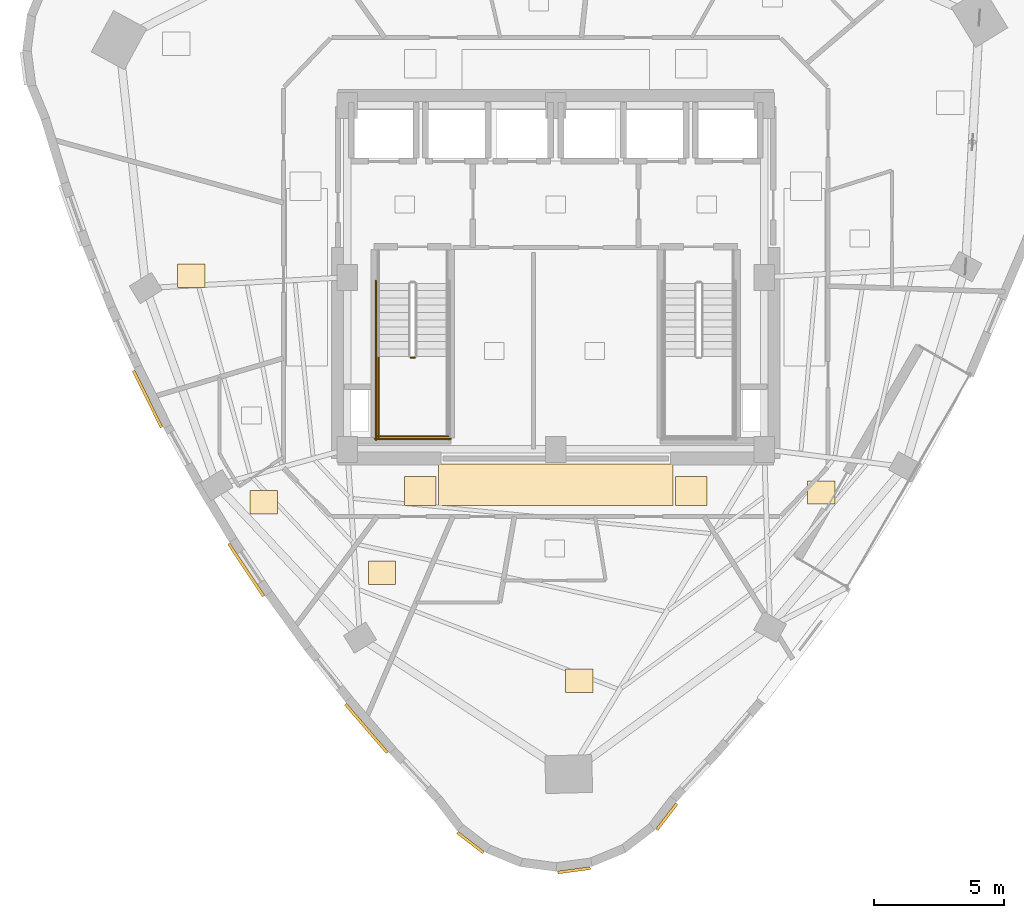
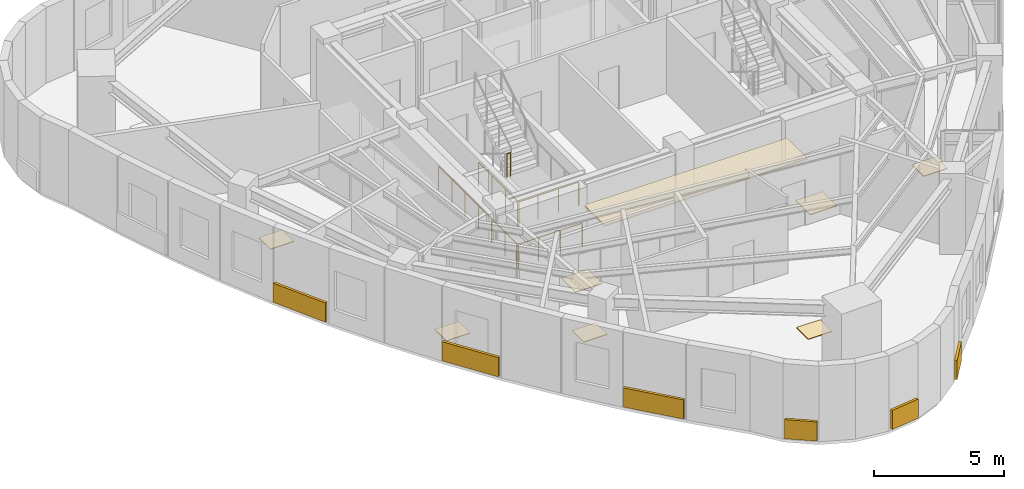
# One storey, part 10 of 12: 14 coverings, 5 railings.
"""IFC4 building model written with IfcOpenShell, lengths in metres."""

from ifc_helpers import new_model, si_unit, direction, frame, origin, origin_2d, place, context, subcontext, project, spatial, rectangle, circle, extrude, material, layer, layer_set, type_object, element, save


model = new_model("IFC4")

# Units and contexts
model_context = context("Model", 3, precision=1e-05, world=origin(), true_north=direction((0.0, 1.0)))
body_context = subcontext(model_context, "Body", "Model", "MODEL_VIEW")
ifc_project = project(units=[si_unit("LENGTHUNIT", "METRE"), si_unit("AREAUNIT", "SQUARE_METRE"), si_unit("VOLUMEUNIT", "CUBIC_METRE"), si_unit("PLANEANGLEUNIT", "RADIAN"), si_unit("MASSUNIT", "GRAM", prefix="KILO")], contexts=[model_context])

# Site, building, storey
site_placement = place(None, origin())
site = spatial("IfcSite", under=ifc_project, at=site_placement, CompositionType="ELEMENT")
building_placement = place(site_placement, origin())
building = spatial("IfcBuilding", under=site, at=building_placement, Name="Ndelora Gate Hotel", CompositionType="ELEMENT")
storey_placement = place(building_placement, frame((0.0, 0.0, 205.550048828125)))
storey = spatial("IfcBuildingStorey", under=building, at=storey_placement, Name="L51", CompositionType="ELEMENT", Elevation=205.550048828125)

# Coverings
ifc_material_1 = material(Name="Perforated Acoustic Gypsum Board", Category="gypsum")
ifc_layer_1 = layer(ifc_material_1, 0.054931640625)
ifc_layer_set_1 = layer_set([ifc_layer_1], Name="Perforated Acoustic Gypsum Board")
covering_type_1 = type_object("IfcCoveringType", Name="COV-CEIL-AC60", PredefinedType="CEILING", material=ifc_layer_set_1)
covering_1_placement = place(storey_placement, frame((0.0, -7.9599609375, 2.65234375), z_axis=(0.0, 0.0, 1.0), x_axis=(1.0, 0.0, 0.0)))
element("IfcCovering", 1, at=covering_1_placement, inside=storey, type_object=covering_type_1, Name="L51 Guest Corridor Acoustic Ceiling S", PredefinedType="CEILING", context=body_context, shape_type="SweptSolid", body=[
    extrude(rectangle(XDim=9.0, YDim=1.580078125, at=origin_2d()), origin(), (0.0, 0.0, 1.0), 0.054931640625),
])
ifc_material_2 = material(Name="Terracotta Fired Clay Brick Slip Cladding", Category="masonry")
ifc_layer_2 = layer(ifc_material_2, 0.110107421875)
ifc_layer_set_2 = layer_set([ifc_layer_2], Name="Terracotta Fired Clay Brick Slip Cladding")
covering_type_2 = type_object("IfcCoveringType", Name="COV-CLAD-BRK", PredefinedType="CLADDING", material=ifc_layer_set_2)
for number, where, z_axis, x_axis, name in (
    (2, (-15.66357421875, -4.67041015625, 0.10009765625), (0.0, 0.0, 1.0), (-0.444635179185, 0.895711760239, 0.0), "L51 Rounded-Corner Brick Cladding Band 13"),
    (3, (-11.87646484375, -11.229736328125, 0.10009765625), (0.0, 0.0, 1.0), (-0.553391549243, 0.83292124071, 0.0), "L51 Rounded-Corner Brick Cladding Band 16"),
):
    element("IfcCovering", number, at=place(storey_placement, frame(where, z_axis=z_axis, x_axis=x_axis)), inside=storey, type_object=covering_type_2, Name=name, PredefinedType="CLADDING", context=body_context, shape_type="SweptSolid", body=[
        extrude(rectangle(XDim=2.4208984375, YDim=0.110107421875, at=origin_2d()), origin(), (0.0, 0.0, 1.0), 0.89990234375),
    ])
covering_2_placement = place(storey_placement, frame((-7.26416015625, -17.31201171875, 0.10009765625), z_axis=(0.0, 0.0, 1.0), x_axis=(-0.651966074496, 0.758248137292, 0.0)))
element("IfcCovering", 4, at=covering_2_placement, inside=storey, type_object=covering_type_2, Name="L51 Rounded-Corner Brick Cladding Band 19", PredefinedType="CLADDING", context=body_context, shape_type="SweptSolid", body=[
    extrude(rectangle(XDim=2.4599609375, YDim=0.110107421875, at=origin_2d()), origin(), (0.0, 0.0, 1.0), 0.89990234375),
])
for number, where, z_axis, x_axis, name in (
    (5, (-3.271484375, -21.691650390625, 0.10009765625), (0.0, 0.0, 1.0), (-0.793353340291, 0.608761429009, 0.0), "L51 Rounded-Corner Brick Cladding Band 22"),
    (6, (0.701416015625, -22.75634765625, 0.10009765625), (0.0, 0.0, 1.0), (0.991444861374, 0.13052619222, 0.0), "L51 Rounded-Corner Brick Cladding Band 25"),
):
    element("IfcCovering", number, at=place(storey_placement, frame(where, z_axis=z_axis, x_axis=x_axis)), inside=storey, type_object=covering_type_2, Name=name, PredefinedType="CLADDING", context=body_context, shape_type="SweptSolid", body=[
        extrude(rectangle(XDim=1.258056640625, YDim=0.110107421875, at=origin_2d()), origin(), (0.0, 0.0, 1.0), 0.89990234375),
    ])
covering_3_placement = place(storey_placement, frame((4.263671875, -20.69970703125, 0.10009765625), z_axis=(0.0, 0.0, 1.0), x_axis=(0.608761429009, 0.793353340291, 0.0)))
element("IfcCovering", 7, at=covering_3_placement, inside=storey, type_object=covering_type_2, Name="L51 Rounded-Corner Brick Cladding Band 28", PredefinedType="CLADDING", context=body_context, shape_type="SweptSolid", body=[
    extrude(rectangle(XDim=1.257080078125, YDim=0.110107421875, at=origin_2d()), origin(), (0.0, 0.0, 1.0), 0.89990234375),
])
ifc_material_3 = material(Name="Engineered Highland Oak Parquet", Category="wood")
ifc_layer_3 = layer(ifc_material_3, 0.030029296875)
ifc_layer_set_3 = layer_set([ifc_layer_3], Name="Engineered Highland Oak Parquet")
covering_type_3 = type_object("IfcCoveringType", Name="COV-FLR-PARQ", PredefinedType="FLOORING", material=ifc_layer_set_3)
for number, where, z_axis, x_axis, name in (
    (8, (0.896728515625, -15.488525390625, 0.0), (0.0, 0.0, 1.0), (1.0, 0.0, 0.0), "L51 Corner Conservatory Suite 5401 Oak Parquet Flooring"),
    (9, (10.19580078125, -8.2578125, 0.0), (0.0, 0.0, 1.0), (1.0, 0.0, 0.0), "L51 Sky Garden Tea Dining Room Oak Parquet Flooring"),
    (10, (-13.989501953125, 0.0625, 0.0), (0.0, 0.0, 1.0), (1.0, 0.0, 0.0), "L51 Sommelier Wine Kitchen Oak Parquet Flooring"),
    (11, (-11.20166015625, -8.63818359375, 0.0), (0.0, 0.0, 1.0), (1.0, 0.0, 0.0), "L51 Altitude King Guest Room 5405 Oak Parquet Flooring"),
    (12, (-6.667724609375, -11.34228515625, 0.0), (0.0, 0.0, 1.0), (1.0, 0.0, 0.0), "L51 Housekeeping and Linen Room Oak Parquet Flooring"),
):
    element("IfcCovering", number, at=place(storey_placement, frame(where, z_axis=z_axis, x_axis=x_axis)), inside=storey, type_object=covering_type_3, Name=name, PredefinedType="FLOORING", context=body_context, shape_type="SweptSolid", body=[
        extrude(rectangle(XDim=1.050048828125, YDim=0.89990234375, at=origin_2d()), origin(), (0.0, 0.0, 1.0), 0.030029296875),
    ])
ifc_material_4 = material(Name="Polished Highland Stone Terrazzo", Category="masonry")
ifc_layer_4 = layer(ifc_material_4, 0.034912109375)
ifc_layer_set_4 = layer_set([ifc_layer_4], Name="Polished Highland Stone Terrazzo")
covering_type_4 = type_object("IfcCoveringType", Name="COV-FLR-TERZ", PredefinedType="FLOORING", material=ifc_layer_set_4)
for number, where, z_axis, x_axis, name in (
    (13, (-5.199951171875, -8.199951171875, 0.0), (0.0, 0.0, 1.0), (1.0, 0.0, 0.0), "L51 Corridor Threshold Terrazzo Inlay SW"),
    (14, (5.199951171875, -8.199951171875, 0.0), (0.0, 0.0, 1.0), (1.0, 0.0, 0.0), "L51 Corridor Threshold Terrazzo Inlay SE"),
):
    element("IfcCovering", number, at=place(storey_placement, frame(where, z_axis=z_axis, x_axis=x_axis)), inside=storey, type_object=covering_type_4, Name=name, PredefinedType="FLOORING", context=body_context, shape_type="SweptSolid", body=[
        extrude(rectangle(XDim=1.199951171875, YDim=1.10009765625, at=origin_2d()), origin(), (0.0, 0.0, 1.0), 0.034912109375),
    ])

# Railings
ifc_material_5 = material(Name="Painted Galvanized Steel Balustrade", Category="steel")
ifc_layer_5 = layer(ifc_material_5, 0.06005859375)
ifc_layer_set_5 = layer_set([ifc_layer_5], Name="Painted Galvanized Steel Balustrade")
railing_type = type_object("IfcRailingType", Name="RL-STAIR-GD", PredefinedType="GUARDRAIL", material=ifc_layer_set_5)
railing_1_placement = place(storey_placement, frame((-5.570068359375, -3.080078125, 1.89990234375)))
element("IfcRailing", 15, at=railing_1_placement, inside=storey, type_object=railing_type, Name="L51 ST4 stair guard 2", PredefinedType="GUARDRAIL", context=body_context, shape_type="SweptSolid", body=[
    extrude(circle(Radius=0.02392578125, at=origin_2d()), frame((0.0, 0.0, 1.10595703125), z_axis=(1.0, 0.0, 0.0), x_axis=(0.0, 1.0, 0.0)), (0.0, 0.0, 1.0), 0.16015625),
    extrude(circle(Radius=0.02099609375, at=origin_2d()), origin(), (0.0, 0.0, 1.0), 1.081787109375),
    extrude(circle(Radius=0.02099609375, at=origin_2d()), frame((0.16015625, 0.0, 0.0)), (0.0, 0.0, 1.0), 1.081787109375),
])
railing_2_placement = place(storey_placement, frame((-6.800048828125, -3.030029296875, 1.89990234375)))
element("IfcRailing", 16, at=railing_2_placement, inside=storey, type_object=railing_type, Name="L51 ST4 stair guard 3", PredefinedType="GUARDRAIL", context=body_context, shape_type="SweptSolid", body=[
    extrude(circle(Radius=0.02392578125, at=origin_2d()), frame((0.0, 0.0, 1.10595703125), z_axis=(0.0, -1.0, 0.0), x_axis=(1.0, 0.0, 0.0)), (0.0, 0.0, 1.0), 3.119873046875),
    extrude(circle(Radius=0.02099609375, at=origin_2d()), origin(), (0.0, 0.0, 1.0), 1.081787109375),
    extrude(circle(Radius=0.02099609375, at=origin_2d()), frame((0.0, -1.0400390625, 0.0)), (0.0, 0.0, 1.0), 1.081787109375),
    extrude(circle(Radius=0.02099609375, at=origin_2d()), frame((0.0, -2.079833984375, 0.0)), (0.0, 0.0, 1.0), 1.081787109375),
    extrude(circle(Radius=0.02099609375, at=origin_2d()), frame((0.0, -3.119873046875, 0.0)), (0.0, 0.0, 1.0), 1.081787109375),
])
railing_3_placement = place(storey_placement, frame((-6.85009765625, -6.10009765625, 1.89990234375)))
element("IfcRailing", 17, at=railing_3_placement, inside=storey, type_object=railing_type, Name="L51 ST4 stair guard 5", PredefinedType="GUARDRAIL", context=body_context, shape_type="SweptSolid", body=[
    extrude(circle(Radius=0.02392578125, at=origin_2d()), frame((0.0, 0.0, 1.10595703125), z_axis=(1.0, 0.0, 0.0), x_axis=(0.0, 1.0, 0.0)), (0.0, 0.0, 1.0), 2.72021484375),
    extrude(circle(Radius=0.02099609375, at=origin_2d()), origin(), (0.0, 0.0, 1.0), 1.081787109375),
    extrude(circle(Radius=0.02099609375, at=origin_2d()), frame((0.90673828125, 0.0, 0.0)), (0.0, 0.0, 1.0), 1.081787109375),
    extrude(circle(Radius=0.02099609375, at=origin_2d()), frame((1.8134765625, 0.0, 0.0)), (0.0, 0.0, 1.0), 1.081787109375),
    extrude(circle(Radius=0.02099609375, at=origin_2d()), frame((2.72021484375, 0.0, 0.0)), (0.0, 0.0, 1.0), 1.081787109375),
])
railing_4_placement = place(storey_placement, frame((-6.89990234375, -0.1298828125, 0.0)))
element("IfcRailing", 18, at=railing_4_placement, inside=storey, type_object=railing_type, Name="L51 ST4 stair guard 10", PredefinedType="GUARDRAIL", context=body_context, shape_type="SweptSolid", body=[
    extrude(circle(Radius=0.02392578125, at=origin_2d()), frame((0.0, 0.0, 1.10595703125), z_axis=(0.0, -1.0, 0.0), x_axis=(1.0, 0.0, 0.0)), (0.0, 0.0, 1.0), 6.1201171875),
    extrude(circle(Radius=0.02099609375, at=origin_2d()), origin(), (0.0, 0.0, 1.0), 1.081787109375),
    extrude(circle(Radius=0.02099609375, at=origin_2d()), frame((0.0, -1.02001953125, 0.0)), (0.0, 0.0, 1.0), 1.081787109375),
    extrude(circle(Radius=0.02099609375, at=origin_2d()), frame((0.0, -2.0400390625, 0.0)), (0.0, 0.0, 1.0), 1.081787109375),
    extrude(circle(Radius=0.02099609375, at=origin_2d()), frame((0.0, -3.06005859375, 0.0)), (0.0, 0.0, 1.0), 1.081787109375),
    extrude(circle(Radius=0.02099609375, at=origin_2d()), frame((0.0, -4.080078125, 0.0)), (0.0, 0.0, 1.0), 1.081787109375),
    extrude(circle(Radius=0.02099609375, at=origin_2d()), frame((0.0, -5.10009765625, 0.0)), (0.0, 0.0, 1.0), 1.081787109375),
    extrude(circle(Radius=0.02099609375, at=origin_2d()), frame((0.0, -6.1201171875, 0.0)), (0.0, 0.0, 1.0), 1.081787109375),
])
railing_5_placement = place(storey_placement, frame((-6.949951171875, -6.199951171875, 0.0)))
element("IfcRailing", 19, at=railing_5_placement, inside=storey, type_object=railing_type, Name="L51 ST4 stair guard 12", PredefinedType="GUARDRAIL", context=body_context, shape_type="SweptSolid", body=[
    extrude(circle(Radius=0.02392578125, at=origin_2d()), frame((0.0, 0.0, 1.10595703125), z_axis=(1.0, 0.0, 0.0), x_axis=(0.0, 1.0, 0.0)), (0.0, 0.0, 1.0), 2.919921875),
    extrude(circle(Radius=0.02099609375, at=origin_2d()), origin(), (0.0, 0.0, 1.0), 1.081787109375),
    extrude(circle(Radius=0.02099609375, at=origin_2d()), frame((0.973388671875, 0.0, 0.0)), (0.0, 0.0, 1.0), 1.081787109375),
    extrude(circle(Radius=0.02099609375, at=origin_2d()), frame((1.946533203125, 0.0, 0.0)), (0.0, 0.0, 1.0), 1.081787109375),
    extrude(circle(Radius=0.02099609375, at=origin_2d()), frame((2.919921875, 0.0, 0.0)), (0.0, 0.0, 1.0), 1.081787109375),
])

save(model, "model.ifc")
